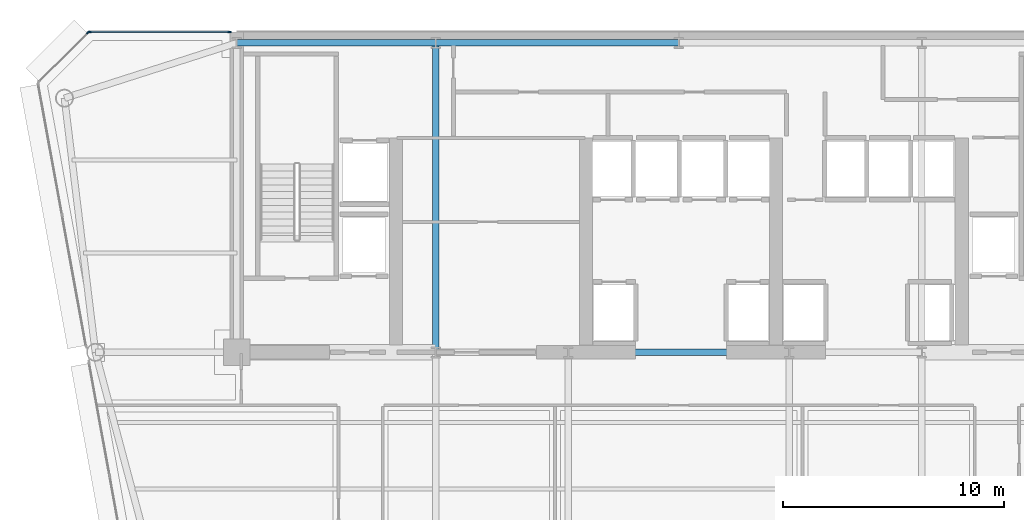
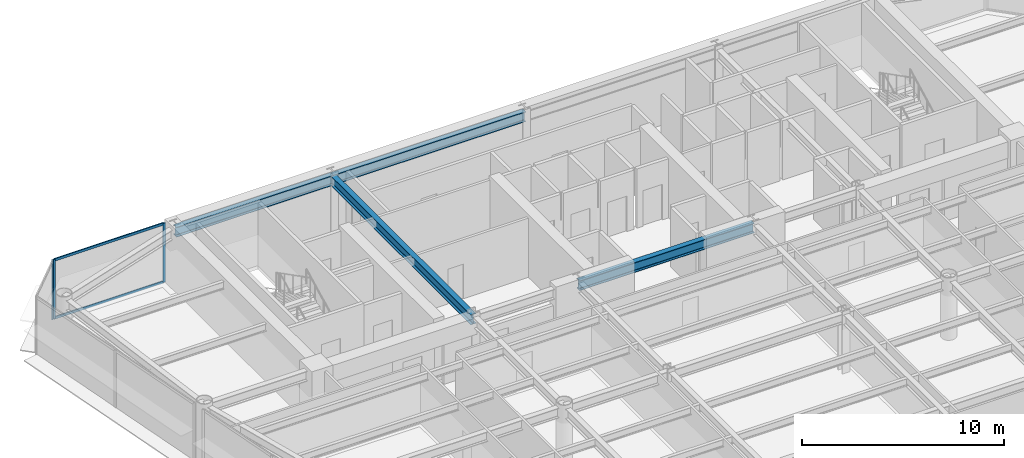
# One storey, part 8 of 17: 5 members, 4 beams, 2 elements without a shape of their own.
"""IFC4 building model written with IfcOpenShell, lengths in metres."""

from ifc_helpers import new_model, si_unit, direction, frame, origin, origin_2d, place, context, subcontext, project, spatial, rectangle, i_section, extrude, source, transform, mapped, material, layer, layer_set, material_profile, profile_set, type_object, element, aggregate, save


model = new_model("IFC4")

# Units and contexts
model_context = context("Model", 3, precision=1e-05, world=origin(), true_north=direction((0.0, 1.0)))
body_context = subcontext(model_context, "Body", "Model", "MODEL_VIEW")
ifc_project = project(units=[si_unit("LENGTHUNIT", "METRE"), si_unit("AREAUNIT", "SQUARE_METRE"), si_unit("VOLUMEUNIT", "CUBIC_METRE"), si_unit("PLANEANGLEUNIT", "RADIAN"), si_unit("MASSUNIT", "GRAM", prefix="KILO")], contexts=[model_context])

# Site, building, storey
site_placement = place(None, origin())
site = spatial("IfcSite", under=ifc_project, at=site_placement, CompositionType="ELEMENT")
building_placement = place(site_placement, origin())
building = spatial("IfcBuilding", under=site, at=building_placement, Name="Vaeldorn Concourse Tower", CompositionType="ELEMENT")
storey_placement = place(building_placement, frame((0.0, 0.0, 169.0)))
storey = spatial("IfcBuildingStorey", under=building, at=storey_placement, Name="L43", CompositionType="ELEMENT", Elevation=169.0)

# Beams
ifc_material_1 = material(Name="Steel S355", Category="steel")
ifc_material_profile_1 = material_profile(ifc_material_1, i_section(OverallWidth=0.300048828125, OverallDepth=0.60009765625, WebThickness=0.015380859375, FlangeThickness=0.030029296875, FilletRadius=0.027099609375, at=origin_2d()), Name="HEB 600")
ifc_profile_set_1 = profile_set([ifc_material_profile_1], Name="Steel S355")
beam_type = type_object("IfcBeamType", Name="BM-PG-HEB600", PredefinedType="BEAM", material=ifc_profile_set_1)
shared_shape_1 = source(origin(), body_context, "Body", "SweptSolid", [
    extrude(i_section(OverallWidth=0.300048828125, OverallDepth=0.60009765625, WebThickness=0.015380859375, FlangeThickness=0.030029296875, FilletRadius=0.027099609375, at=origin_2d()), origin(), (0.0, 0.0, 1.0), 10.0),
])
beam_1_placement = place(storey_placement, frame((29.0, 36.5, 3.280029296875), z_axis=(1.0, 0.0, 0.0), x_axis=(0.0, 1.0, 0.0)))
element("IfcBeam", 1, at=beam_1_placement, inside=storey, type_object=beam_type, Name="Beam BM-L43-C-FC3-C-FC4", PredefinedType="BEAM", context=body_context, shape_type="MappedRepresentation", body=[
    mapped(shared_shape_1, transform((0.0, 0.0, 0.0), scale=1.0)),
])
shared_shape_2 = source(origin(), body_context, "Body", "SweptSolid", [
    extrude(i_section(OverallWidth=0.300048828125, OverallDepth=0.60009765625, WebThickness=0.015380859375, FlangeThickness=0.030029296875, FilletRadius=0.027099609375, at=origin_2d()), origin(), (0.0, 0.0, 1.0), 9.0),
])
beam_2_placement = place(storey_placement, frame((14.0, 50.5, 3.280029296875), z_axis=(1.0, 0.0, 0.0), x_axis=(0.0, 1.0, 0.0)))
element("IfcBeam", 2, at=beam_2_placement, inside=storey, type_object=beam_type, Name="Beam BM-L43-C-HC1-C-HC2", PredefinedType="BEAM", context=body_context, shape_type="MappedRepresentation", body=[
    mapped(shared_shape_2, transform((0.0, 0.0, 0.0), scale=1.0)),
])
shared_shape_3 = source(origin(), body_context, "Body", "SweptSolid", [
    extrude(i_section(OverallWidth=0.300048828125, OverallDepth=0.60009765625, WebThickness=0.015380859375, FlangeThickness=0.030029296875, FilletRadius=0.027099609375, at=origin_2d()), origin(), (0.0, 0.0, 1.0), 11.0),
])
beam_3_placement = place(storey_placement, frame((23.0, 50.5, 3.280029296875), z_axis=(1.0, 0.0, 0.0), x_axis=(0.0, 1.0, 0.0)))
element("IfcBeam", 3, at=beam_3_placement, inside=storey, type_object=beam_type, Name="Beam BM-L43-C-HC2-C-HC3", PredefinedType="BEAM", context=body_context, shape_type="MappedRepresentation", body=[
    mapped(shared_shape_3, transform((0.0, 0.0, 0.0), scale=1.0)),
])
shared_shape_4 = source(origin(), body_context, "Body", "SweptSolid", [
    extrude(i_section(OverallWidth=0.300048828125, OverallDepth=0.60009765625, WebThickness=0.015380859375, FlangeThickness=0.030029296875, FilletRadius=0.027099609375, at=origin_2d()), origin(), (0.0, 0.0, 1.0), 14.0),
])
beam_4_placement = place(storey_placement, frame((23.0, 36.5, 3.280029296875), z_axis=(0.0, 1.0, 0.0), x_axis=(-1.0, 0.0, 0.0)))
element("IfcBeam", 4, at=beam_4_placement, inside=storey, type_object=beam_type, Name="Beam BM-L43-C-FC2-C-HC2", PredefinedType="BEAM", context=body_context, shape_type="MappedRepresentation", body=[
    mapped(shared_shape_4, transform((0.0, 0.0, 0.0), scale=1.0)),
])

# Curtain wall, members
ifc_material_2 = material(Name="Anodised Bronze Aluminium", Category="aluminium")
ifc_layer = layer(ifc_material_2, 0.18994140625)
ifc_layer_set = layer_set([ifc_layer], Name="Anodised Bronze Aluminium")
curtain_wall_type = type_object("IfcCurtainWallType", Name="CW-SYS-03", PredefinedType="NOTDEFINED", material=ifc_layer_set)
curtain_wall_1_placement = place(storey_placement, origin())
curtain_wall_1 = element("IfcCurtainWall", 5, at=curtain_wall_1_placement, inside=storey, type_object=curtain_wall_type, Name="Unitised Curtain Wall CW-L43-E09-2", PredefinedType="NOTDEFINED")
ifc_material_profile_2 = material_profile(ifc_material_2, rectangle(XDim=0.06494140625, YDim=0.169921875, at=origin_2d()), Name="CWM 65x170")
ifc_profile_set_2 = profile_set([ifc_material_profile_2], Name="Anodised Bronze Aluminium")
member_type_1 = type_object("IfcMemberType", Name="CWM-BRONZE-170", PredefinedType="MULLION", material=ifc_profile_set_2)
shared_shape_5 = source(origin(), body_context, "Body", "SweptSolid", [
    extrude(rectangle(XDim=0.06494140625, YDim=0.169921875, at=origin_2d()), origin(), (0.0, 0.0, 1.0), 3.580078125),
])
member_1_placement = place(storey_placement, frame((13.672607421875, 51.0, 0.0), z_axis=(0.0, 0.0, 1.0), x_axis=(0.0, -1.0, 0.0)))
member_1 = element("IfcMember", 6, at=member_1_placement, type_object=member_type_1, Name="CW-03 mullion 1", PredefinedType="MULLION", context=body_context, shape_type="MappedRepresentation", body=[
    mapped(shared_shape_5, transform((0.0, 0.0, 0.0), scale=1.0)),
])
member_2_placement = place(storey_placement, frame((7.33251953125, 51.0, 0.0), z_axis=(0.0, 0.0, 1.0), x_axis=(0.0, -1.0, 0.0)))
member_2 = element("IfcMember", 7, at=member_2_placement, type_object=member_type_1, Name="CW-03 mullion 2", PredefinedType="MULLION", context=body_context, shape_type="MappedRepresentation", body=[
    mapped(shared_shape_5, transform((0.0, 0.0, 0.0), scale=1.0)),
])

# Curtain wall, member
curtain_wall_2_placement = place(storey_placement, origin())
curtain_wall_2 = element("IfcCurtainWall", 8, at=curtain_wall_2_placement, inside=storey, type_object=curtain_wall_type, Name="Unitised Curtain Wall CW-L43-E10-1", PredefinedType="NOTDEFINED")
member_3_placement = place(storey_placement, frame((7.277099609375, 50.97705078125, 0.0), z_axis=(0.0, 0.0, 1.0), x_axis=(0.707106781187, -0.707106781187, 0.0)))
member_3 = element("IfcMember", 9, at=member_3_placement, type_object=member_type_1, Name="CW-03 mullion 1", PredefinedType="MULLION", context=body_context, shape_type="MappedRepresentation", body=[
    mapped(shared_shape_5, transform((0.0, 0.0, 0.0), scale=1.0)),
])
aggregate(curtain_wall_2, [member_3])

# Member
ifc_material_profile_3 = material_profile(ifc_material_2, rectangle(XDim=0.06494140625, YDim=0.14990234375, at=origin_2d()), Name="CWT 65x150")
ifc_profile_set_3 = profile_set([ifc_material_profile_3], Name="Anodised Bronze Aluminium")
member_type_2 = type_object("IfcMemberType", Name="CWT-BRONZE-150", PredefinedType="USERDEFINED", material=ifc_profile_set_3)
shared_shape_6 = source(origin(), body_context, "Body", "SweptSolid", [
    extrude(rectangle(XDim=0.06494140625, YDim=0.14990234375, at=origin_2d()), origin(), (0.0, 0.0, 1.0), 6.27490234375),
])
member_4_placement = place(storey_placement, frame((13.639892578125, 51.0, 0.032470703125), z_axis=(-1.0, 0.0, 0.0), x_axis=(0.0, -1.0, 0.0)))
member_4 = element("IfcMember", 10, at=member_4_placement, type_object=member_type_2, Name="CW-03 transom 1.1", ObjectType="TRANSOM", PredefinedType="USERDEFINED", context=body_context, shape_type="MappedRepresentation", body=[
    mapped(shared_shape_6, transform((0.0, 0.0, 0.0), scale=1.0)),
])

member_5_placement = place(storey_placement, frame((13.639892578125, 51.0, 3.547607421875), z_axis=(-1.0, 0.0, 0.0), x_axis=(0.0, -1.0, 0.0)))
member_5 = element("IfcMember", 11, at=member_5_placement, type_object=member_type_2, Name="CW-03 transom 1.2", ObjectType="TRANSOM", PredefinedType="USERDEFINED", context=body_context, shape_type="MappedRepresentation", body=[
    mapped(shared_shape_6, transform((0.0, 0.0, 0.0), scale=1.0)),
])

aggregate(curtain_wall_1, [member_1, member_2, member_4, member_5])

save(model, "model.ifc")
